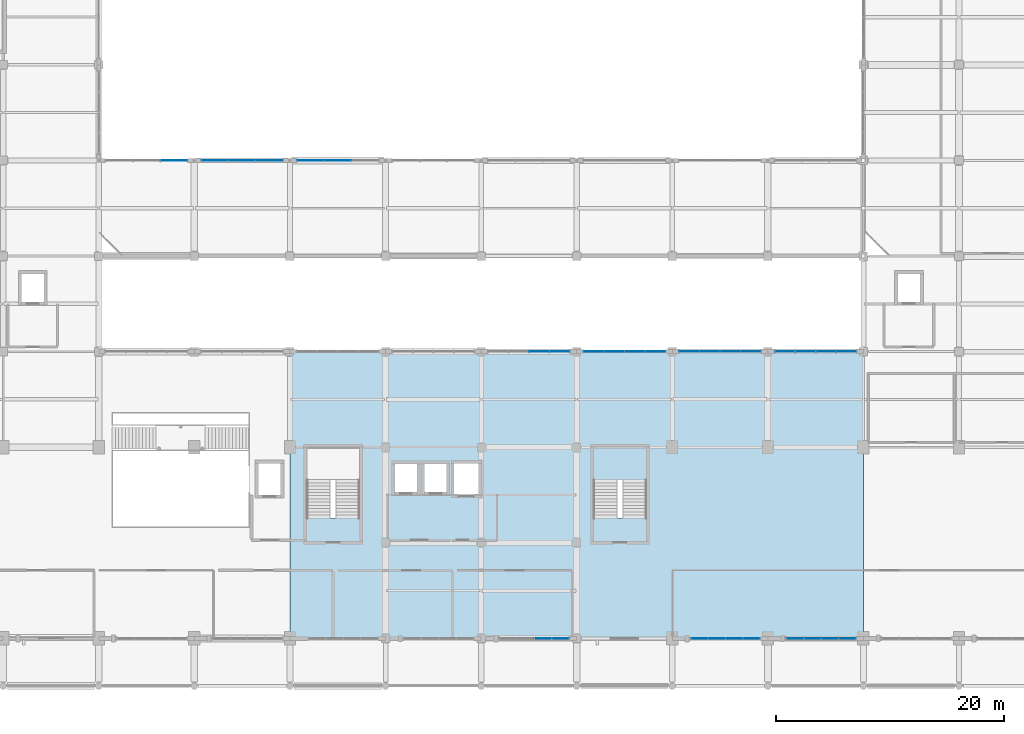
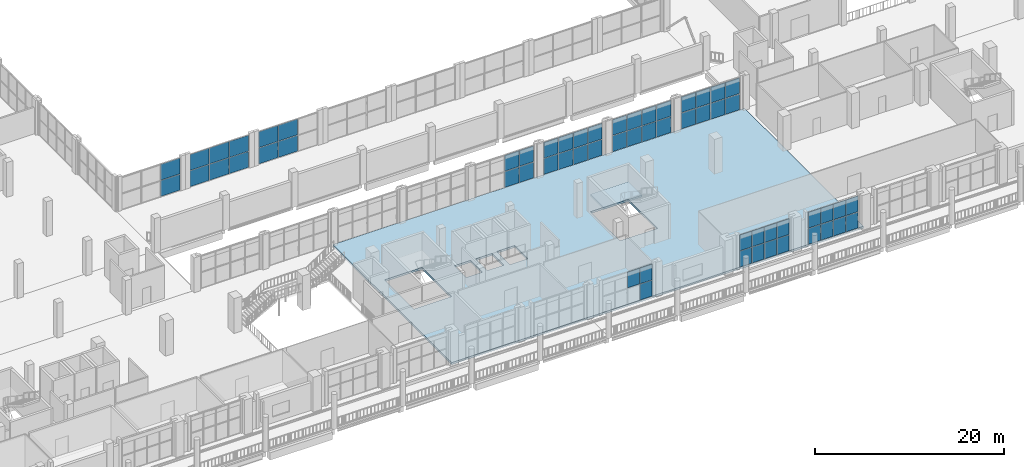
# One storey, part 48 of 75: 59 plates, 2 slabs, 11 elements without a shape of their own.
"""IFC4 building model written with IfcOpenShell, lengths in metres."""

from ifc_helpers import new_model, si_unit, derived_unit, direction, frame, origin, origin_2d, place, context, subcontext, project, spatial, polyline, rectangle, outline, extrude, material, layer, layer_set, type_object, element, aggregate, save


model = new_model("IFC4")

# Units and contexts
model_context = context("Model", 3, precision=1e-05, world=origin(), true_north=direction((0.0, 1.0)))
body_context = subcontext(model_context, "Body", "Model", "MODEL_VIEW")
ifc_project = project(units=[si_unit("LENGTHUNIT", "METRE"), si_unit("AREAUNIT", "SQUARE_METRE"), si_unit("VOLUMEUNIT", "CUBIC_METRE"), si_unit("PLANEANGLEUNIT", "RADIAN"), si_unit("MASSUNIT", "GRAM", prefix="KILO"), derived_unit("THERMALTRANSMITTANCEUNIT", [(si_unit("POWERUNIT", "WATT"), 1), (si_unit("LENGTHUNIT", "METRE"), -2), (si_unit("THERMODYNAMICTEMPERATUREUNIT", "KELVIN"), -1)])], contexts=[model_context])

# Site, building, storey
site_placement = place(None, origin())
site = spatial("IfcSite", under=ifc_project, at=site_placement, CompositionType="ELEMENT")
building_placement = place(site_placement, origin())
building = spatial("IfcBuilding", under=site, at=building_placement, Name="Barrovel Congress Hotel", CompositionType="ELEMENT")
storey_placement = place(building_placement, frame((0.0, 0.0, 5.39990234375)))
storey = spatial("IfcBuildingStorey", under=building, at=storey_placement, Name="L01", CompositionType="ELEMENT", Elevation=5.39990234375)

# Curtain wall, plates
ifc_material_1 = material(Name="Anodised Aluminium Alloy 6063-T6", Category="aluminium")
curtain_wall_type_1 = type_object("IfcCurtainWallType", Name="CW-ST-7200x3900", PredefinedType="USERDEFINED", material=ifc_material_1)
curtain_wall_1_placement = place(storey_placement, origin())
curtain_wall_1 = element("IfcCurtainWall", 1, at=curtain_wall_1_placement, inside=storey, type_object=curtain_wall_type_1, Name="CW:L01:S:11", ObjectType="STICK CURTAIN WALL", PredefinedType="USERDEFINED")
ifc_material_2 = material(Name="Double Low-E Insulated Glazing", Category="glass")
ifc_layer_1 = layer(ifc_material_2, 0.028076171875)
ifc_layer_set_1 = layer_set([ifc_layer_1], Name="Double Low-E Insulated Glazing")
plate_type_1 = type_object("IfcPlateType", Name="CWP-28", PredefinedType="CURTAIN_PANEL", material=ifc_layer_set_1)
plate_1_placement = place(storey_placement, frame((97.844970703125, 4.199951171875, 2.14013671875), z_axis=(0.0, 0.0, 1.0), x_axis=(1.0, 0.0, 0.0)))
plate_1 = element("IfcPlate", 2, at=plate_1_placement, type_object=plate_type_1, Name="CW:L01:S:11:P2-1", PredefinedType="CURTAIN_PANEL", context=body_context, shape_type="SweptSolid", body=[
    extrude(rectangle(XDim=1.469970703125, YDim=0.028076171875, at=origin_2d()), origin(), (0.0, 0.0, 1.0), 2.050048828125),
])
plate_2_placement = place(storey_placement, frame((99.375, 4.199951171875, 0.0302734375), z_axis=(0.0, 0.0, 1.0), x_axis=(1.0, 0.0, 0.0)))
plate_2 = element("IfcPlate", 3, at=plate_2_placement, type_object=plate_type_1, Name="CW:L01:S:11:P3-0", PredefinedType="CURTAIN_PANEL", context=body_context, shape_type="SweptSolid", body=[
    extrude(rectangle(XDim=1.469970703125, YDim=0.028076171875, at=origin_2d()), origin(), (0.0, 0.0, 1.0), 2.050048828125),
])
plate_3_placement = place(storey_placement, frame((99.375, 4.199951171875, 2.14013671875), z_axis=(0.0, 0.0, 1.0), x_axis=(1.0, 0.0, 0.0)))
plate_3 = element("IfcPlate", 4, at=plate_3_placement, type_object=plate_type_1, Name="CW:L01:S:11:P3-1", PredefinedType="CURTAIN_PANEL", context=body_context, shape_type="SweptSolid", body=[
    extrude(rectangle(XDim=1.469970703125, YDim=0.028076171875, at=origin_2d()), origin(), (0.0, 0.0, 1.0), 2.050048828125),
])
aggregate(curtain_wall_1, [plate_1, plate_2, plate_3])

curtain_wall_2_placement = place(storey_placement, origin())
curtain_wall_2 = element("IfcCurtainWall", 5, at=curtain_wall_2_placement, inside=storey, type_object=curtain_wall_type_1, Name="CW:L01:S:14", ObjectType="STICK CURTAIN WALL", PredefinedType="USERDEFINED")
plate_4_placement = place(storey_placement, frame((119.985107421875, 4.199951171875, 0.0302734375), z_axis=(0.0, 0.0, 1.0), x_axis=(1.0, 0.0, 0.0)))
plate_4 = element("IfcPlate", 6, at=plate_4_placement, type_object=plate_type_1, Name="CW:L01:S:14:P0-0", PredefinedType="CURTAIN_PANEL", context=body_context, shape_type="SweptSolid", body=[
    extrude(rectangle(XDim=1.469970703125, YDim=0.028076171875, at=origin_2d()), origin(), (0.0, 0.0, 1.0), 2.050048828125),
])
plate_5_placement = place(storey_placement, frame((119.985107421875, 4.199951171875, 2.14013671875), z_axis=(0.0, 0.0, 1.0), x_axis=(1.0, 0.0, 0.0)))
plate_5 = element("IfcPlate", 7, at=plate_5_placement, type_object=plate_type_1, Name="CW:L01:S:14:P0-1", PredefinedType="CURTAIN_PANEL", context=body_context, shape_type="SweptSolid", body=[
    extrude(rectangle(XDim=1.469970703125, YDim=0.028076171875, at=origin_2d()), origin(), (0.0, 0.0, 1.0), 2.050048828125),
])
plate_6_placement = place(storey_placement, frame((121.514892578125, 4.199951171875, 0.0302734375), z_axis=(0.0, 0.0, 1.0), x_axis=(1.0, 0.0, 0.0)))
plate_6 = element("IfcPlate", 8, at=plate_6_placement, type_object=plate_type_1, Name="CW:L01:S:14:P1-0", PredefinedType="CURTAIN_PANEL", context=body_context, shape_type="SweptSolid", body=[
    extrude(rectangle(XDim=1.469970703125, YDim=0.028076171875, at=origin_2d()), origin(), (0.0, 0.0, 1.0), 2.050048828125),
])
plate_7_placement = place(storey_placement, frame((121.514892578125, 4.199951171875, 2.14013671875), z_axis=(0.0, 0.0, 1.0), x_axis=(1.0, 0.0, 0.0)))
plate_7 = element("IfcPlate", 9, at=plate_7_placement, type_object=plate_type_1, Name="CW:L01:S:14:P1-1", PredefinedType="CURTAIN_PANEL", context=body_context, shape_type="SweptSolid", body=[
    extrude(rectangle(XDim=1.469970703125, YDim=0.028076171875, at=origin_2d()), origin(), (0.0, 0.0, 1.0), 2.050048828125),
])
plate_8_placement = place(storey_placement, frame((123.044921875, 4.199951171875, 0.0302734375), z_axis=(0.0, 0.0, 1.0), x_axis=(1.0, 0.0, 0.0)))
plate_8 = element("IfcPlate", 10, at=plate_8_placement, type_object=plate_type_1, Name="CW:L01:S:14:P2-0", PredefinedType="CURTAIN_PANEL", context=body_context, shape_type="SweptSolid", body=[
    extrude(rectangle(XDim=1.469970703125, YDim=0.028076171875, at=origin_2d()), origin(), (0.0, 0.0, 1.0), 2.050048828125),
])
plate_9_placement = place(storey_placement, frame((123.044921875, 4.199951171875, 2.14013671875), z_axis=(0.0, 0.0, 1.0), x_axis=(1.0, 0.0, 0.0)))
plate_9 = element("IfcPlate", 11, at=plate_9_placement, type_object=plate_type_1, Name="CW:L01:S:14:P2-1", PredefinedType="CURTAIN_PANEL", context=body_context, shape_type="SweptSolid", body=[
    extrude(rectangle(XDim=1.469970703125, YDim=0.028076171875, at=origin_2d()), origin(), (0.0, 0.0, 1.0), 2.050048828125),
])
plate_10_placement = place(storey_placement, frame((124.574951171875, 4.199951171875, 0.0302734375), z_axis=(0.0, 0.0, 1.0), x_axis=(1.0, 0.0, 0.0)))
plate_10 = element("IfcPlate", 12, at=plate_10_placement, type_object=plate_type_1, Name="CW:L01:S:14:P3-0", PredefinedType="CURTAIN_PANEL", context=body_context, shape_type="SweptSolid", body=[
    extrude(rectangle(XDim=1.469970703125, YDim=0.028076171875, at=origin_2d()), origin(), (0.0, 0.0, 1.0), 2.050048828125),
])
plate_11_placement = place(storey_placement, frame((124.574951171875, 4.199951171875, 2.14013671875), z_axis=(0.0, 0.0, 1.0), x_axis=(1.0, 0.0, 0.0)))
plate_11 = element("IfcPlate", 13, at=plate_11_placement, type_object=plate_type_1, Name="CW:L01:S:14:P3-1", PredefinedType="CURTAIN_PANEL", context=body_context, shape_type="SweptSolid", body=[
    extrude(rectangle(XDim=1.469970703125, YDim=0.028076171875, at=origin_2d()), origin(), (0.0, 0.0, 1.0), 2.050048828125),
])
aggregate(curtain_wall_2, [plate_4, plate_5, plate_6, plate_7, plate_8, plate_9, plate_10, plate_11])

curtain_wall_3_placement = place(storey_placement, origin())
curtain_wall_3 = element("IfcCurtainWall", 14, at=curtain_wall_3_placement, inside=storey, type_object=curtain_wall_type_1, Name="CW:L01:CS:13", ObjectType="STICK CURTAIN WALL", PredefinedType="USERDEFINED")
plate_12_placement = place(storey_placement, frame((116.10009765625, 29.39990234375, 0.0302734375), z_axis=(0.0, 0.0, 1.0), x_axis=(-1.0, 0.0, 0.0)))
plate_12 = element("IfcPlate", 15, at=plate_12_placement, type_object=plate_type_1, Name="CW:L01:CS:13:P0-0", PredefinedType="CURTAIN_PANEL", context=body_context, shape_type="SweptSolid", body=[
    extrude(rectangle(XDim=1.739990234375, YDim=0.028076171875, at=origin_2d()), origin(), (0.0, 0.0, 1.0), 2.050048828125),
])
plate_13_placement = place(storey_placement, frame((116.10009765625, 29.39990234375, 2.14013671875), z_axis=(0.0, 0.0, 1.0), x_axis=(-1.0, 0.0, 0.0)))
plate_13 = element("IfcPlate", 16, at=plate_13_placement, type_object=plate_type_1, Name="CW:L01:CS:13:P0-1", PredefinedType="CURTAIN_PANEL", context=body_context, shape_type="SweptSolid", body=[
    extrude(rectangle(XDim=1.739990234375, YDim=0.028076171875, at=origin_2d()), origin(), (0.0, 0.0, 1.0), 2.050048828125),
])
plate_14_placement = place(storey_placement, frame((114.300048828125, 29.39990234375, 0.0302734375), z_axis=(0.0, 0.0, 1.0), x_axis=(-1.0, 0.0, 0.0)))
plate_14 = element("IfcPlate", 17, at=plate_14_placement, type_object=plate_type_1, Name="CW:L01:CS:13:P1-0", PredefinedType="CURTAIN_PANEL", context=body_context, shape_type="SweptSolid", body=[
    extrude(rectangle(XDim=1.739990234375, YDim=0.028076171875, at=origin_2d()), origin(), (0.0, 0.0, 1.0), 2.050048828125),
])
plate_15_placement = place(storey_placement, frame((114.300048828125, 29.39990234375, 2.14013671875), z_axis=(0.0, 0.0, 1.0), x_axis=(-1.0, 0.0, 0.0)))
plate_15 = element("IfcPlate", 18, at=plate_15_placement, type_object=plate_type_1, Name="CW:L01:CS:13:P1-1", PredefinedType="CURTAIN_PANEL", context=body_context, shape_type="SweptSolid", body=[
    extrude(rectangle(XDim=1.739990234375, YDim=0.028076171875, at=origin_2d()), origin(), (0.0, 0.0, 1.0), 2.050048828125),
])
plate_16_placement = place(storey_placement, frame((112.5, 29.39990234375, 0.0302734375), z_axis=(0.0, 0.0, 1.0), x_axis=(-1.0, 0.0, 0.0)))
plate_16 = element("IfcPlate", 19, at=plate_16_placement, type_object=plate_type_1, Name="CW:L01:CS:13:P2-0", PredefinedType="CURTAIN_PANEL", context=body_context, shape_type="SweptSolid", body=[
    extrude(rectangle(XDim=1.739990234375, YDim=0.028076171875, at=origin_2d()), origin(), (0.0, 0.0, 1.0), 2.050048828125),
])
plate_17_placement = place(storey_placement, frame((112.5, 29.39990234375, 2.14013671875), z_axis=(0.0, 0.0, 1.0), x_axis=(-1.0, 0.0, 0.0)))
plate_17 = element("IfcPlate", 20, at=plate_17_placement, type_object=plate_type_1, Name="CW:L01:CS:13:P2-1", PredefinedType="CURTAIN_PANEL", context=body_context, shape_type="SweptSolid", body=[
    extrude(rectangle(XDim=1.739990234375, YDim=0.028076171875, at=origin_2d()), origin(), (0.0, 0.0, 1.0), 2.050048828125),
])
plate_18_placement = place(storey_placement, frame((110.699951171875, 29.39990234375, 0.0302734375), z_axis=(0.0, 0.0, 1.0), x_axis=(-1.0, 0.0, 0.0)))
plate_18 = element("IfcPlate", 21, at=plate_18_placement, type_object=plate_type_1, Name="CW:L01:CS:13:P3-0", PredefinedType="CURTAIN_PANEL", context=body_context, shape_type="SweptSolid", body=[
    extrude(rectangle(XDim=1.739990234375, YDim=0.028076171875, at=origin_2d()), origin(), (0.0, 0.0, 1.0), 2.050048828125),
])
plate_19_placement = place(storey_placement, frame((110.699951171875, 29.39990234375, 2.14013671875), z_axis=(0.0, 0.0, 1.0), x_axis=(-1.0, 0.0, 0.0)))
plate_19 = element("IfcPlate", 22, at=plate_19_placement, type_object=plate_type_1, Name="CW:L01:CS:13:P3-1", PredefinedType="CURTAIN_PANEL", context=body_context, shape_type="SweptSolid", body=[
    extrude(rectangle(XDim=1.739990234375, YDim=0.028076171875, at=origin_2d()), origin(), (0.0, 0.0, 1.0), 2.050048828125),
])
aggregate(curtain_wall_3, [plate_12, plate_13, plate_14, plate_15, plate_16, plate_17, plate_18, plate_19])

curtain_wall_4_placement = place(storey_placement, origin())
curtain_wall_4 = element("IfcCurtainWall", 23, at=curtain_wall_4_placement, inside=storey, type_object=curtain_wall_type_1, Name="CW:L01:CS:11", ObjectType="STICK CURTAIN WALL", PredefinedType="USERDEFINED")
plate_20_placement = place(storey_placement, frame((99.300048828125, 29.39990234375, 0.0302734375), z_axis=(0.0, 0.0, 1.0), x_axis=(-1.0, 0.0, 0.0)))
plate_20 = element("IfcPlate", 24, at=plate_20_placement, type_object=plate_type_1, Name="CW:L01:CS:11:P0-0", PredefinedType="CURTAIN_PANEL", context=body_context, shape_type="SweptSolid", body=[
    extrude(rectangle(XDim=1.739990234375, YDim=0.028076171875, at=origin_2d()), origin(), (0.0, 0.0, 1.0), 2.050048828125),
])
plate_21_placement = place(storey_placement, frame((99.300048828125, 29.39990234375, 2.14013671875), z_axis=(0.0, 0.0, 1.0), x_axis=(-1.0, 0.0, 0.0)))
plate_21 = element("IfcPlate", 25, at=plate_21_placement, type_object=plate_type_1, Name="CW:L01:CS:11:P0-1", PredefinedType="CURTAIN_PANEL", context=body_context, shape_type="SweptSolid", body=[
    extrude(rectangle(XDim=1.739990234375, YDim=0.028076171875, at=origin_2d()), origin(), (0.0, 0.0, 1.0), 2.050048828125),
])
plate_22_placement = place(storey_placement, frame((97.5, 29.39990234375, 0.0302734375), z_axis=(0.0, 0.0, 1.0), x_axis=(-1.0, 0.0, 0.0)))
plate_22 = element("IfcPlate", 26, at=plate_22_placement, type_object=plate_type_1, Name="CW:L01:CS:11:P1-0", PredefinedType="CURTAIN_PANEL", context=body_context, shape_type="SweptSolid", body=[
    extrude(rectangle(XDim=1.739990234375, YDim=0.028076171875, at=origin_2d()), origin(), (0.0, 0.0, 1.0), 2.050048828125),
])
plate_23_placement = place(storey_placement, frame((97.5, 29.39990234375, 2.14013671875), z_axis=(0.0, 0.0, 1.0), x_axis=(-1.0, 0.0, 0.0)))
plate_23 = element("IfcPlate", 27, at=plate_23_placement, type_object=plate_type_1, Name="CW:L01:CS:11:P1-1", PredefinedType="CURTAIN_PANEL", context=body_context, shape_type="SweptSolid", body=[
    extrude(rectangle(XDim=1.739990234375, YDim=0.028076171875, at=origin_2d()), origin(), (0.0, 0.0, 1.0), 2.050048828125),
])
aggregate(curtain_wall_4, [plate_20, plate_21, plate_22, plate_23])

curtain_wall_type_2 = type_object("IfcCurtainWallType", Name="CW-ST-7200x3600", PredefinedType="USERDEFINED", material=ifc_material_1)
curtain_wall_5_placement = place(storey_placement, origin())
curtain_wall_5 = element("IfcCurtainWall", 28, at=curtain_wall_5_placement, inside=storey, type_object=curtain_wall_type_2, Name="CW:L01:CL:08", ObjectType="STICK CURTAIN WALL", PredefinedType="USERDEFINED")
plate_24_placement = place(storey_placement, frame((73.800048828125, 46.199951171875, 0.0302734375), z_axis=(0.0, 0.0, 1.0), x_axis=(-1.0, 0.0, 0.0)))
plate_24 = element("IfcPlate", 29, at=plate_24_placement, type_object=plate_type_1, Name="CW:L01:CL:08:P0-0", PredefinedType="CURTAIN_PANEL", context=body_context, shape_type="SweptSolid", body=[
    extrude(rectangle(XDim=2.340087890625, YDim=0.028076171875, at=origin_2d()), origin(), (0.0, 0.0, 1.0), 2.050048828125),
])
plate_25_placement = place(storey_placement, frame((73.800048828125, 46.199951171875, 2.14013671875), z_axis=(0.0, 0.0, 1.0), x_axis=(-1.0, 0.0, 0.0)))
plate_25 = element("IfcPlate", 30, at=plate_25_placement, type_object=plate_type_1, Name="CW:L01:CL:08:P0-1", PredefinedType="CURTAIN_PANEL", context=body_context, shape_type="SweptSolid", body=[
    extrude(rectangle(XDim=2.340087890625, YDim=0.028076171875, at=origin_2d()), origin(), (0.0, 0.0, 1.0), 2.050048828125),
])
plate_26_placement = place(storey_placement, frame((71.39990234375, 46.199951171875, 0.0302734375), z_axis=(0.0, 0.0, 1.0), x_axis=(-1.0, 0.0, 0.0)))
plate_26 = element("IfcPlate", 31, at=plate_26_placement, type_object=plate_type_1, Name="CW:L01:CL:08:P1-0", PredefinedType="CURTAIN_PANEL", context=body_context, shape_type="SweptSolid", body=[
    extrude(rectangle(XDim=2.340087890625, YDim=0.028076171875, at=origin_2d()), origin(), (0.0, 0.0, 1.0), 2.050048828125),
])
plate_27_placement = place(storey_placement, frame((71.39990234375, 46.199951171875, 2.14013671875), z_axis=(0.0, 0.0, 1.0), x_axis=(-1.0, 0.0, 0.0)))
plate_27 = element("IfcPlate", 32, at=plate_27_placement, type_object=plate_type_1, Name="CW:L01:CL:08:P1-1", PredefinedType="CURTAIN_PANEL", context=body_context, shape_type="SweptSolid", body=[
    extrude(rectangle(XDim=2.340087890625, YDim=0.028076171875, at=origin_2d()), origin(), (0.0, 0.0, 1.0), 2.050048828125),
])
plate_28_placement = place(storey_placement, frame((69.0, 46.199951171875, 0.0302734375), z_axis=(0.0, 0.0, 1.0), x_axis=(-1.0, 0.0, 0.0)))
plate_28 = element("IfcPlate", 33, at=plate_28_placement, type_object=plate_type_1, Name="CW:L01:CL:08:P2-0", PredefinedType="CURTAIN_PANEL", context=body_context, shape_type="SweptSolid", body=[
    extrude(rectangle(XDim=2.340087890625, YDim=0.028076171875, at=origin_2d()), origin(), (0.0, 0.0, 1.0), 2.050048828125),
])
plate_29_placement = place(storey_placement, frame((69.0, 46.199951171875, 2.14013671875), z_axis=(0.0, 0.0, 1.0), x_axis=(-1.0, 0.0, 0.0)))
plate_29 = element("IfcPlate", 34, at=plate_29_placement, type_object=plate_type_1, Name="CW:L01:CL:08:P2-1", PredefinedType="CURTAIN_PANEL", context=body_context, shape_type="SweptSolid", body=[
    extrude(rectangle(XDim=2.340087890625, YDim=0.028076171875, at=origin_2d()), origin(), (0.0, 0.0, 1.0), 2.050048828125),
])
aggregate(curtain_wall_5, [plate_24, plate_25, plate_26, plate_27, plate_28, plate_29])

curtain_wall_6_placement = place(storey_placement, origin())
curtain_wall_6 = element("IfcCurtainWall", 35, at=curtain_wall_6_placement, inside=storey, type_object=curtain_wall_type_1, Name="CW:L01:S:13", ObjectType="STICK CURTAIN WALL", PredefinedType="USERDEFINED")
ifc_layer_2 = layer(ifc_material_2, 0.031982421875)
ifc_layer_set_2 = layer_set([ifc_layer_2], Name="Double Low-E Insulated Glazing")
plate_type_2 = type_object("IfcPlateType", Name="CWP-32", PredefinedType="CURTAIN_PANEL", material=ifc_layer_set_2)
plate_30_placement = place(storey_placement, frame((111.5849609375, 4.199951171875, 0.0302734375), z_axis=(0.0, 0.0, 1.0), x_axis=(1.0, 0.0, 0.0)))
plate_30 = element("IfcPlate", 36, at=plate_30_placement, type_object=plate_type_2, Name="CW:L01:S:13:P0-0", PredefinedType="CURTAIN_PANEL", context=body_context, shape_type="SweptSolid", body=[
    extrude(rectangle(XDim=1.469970703125, YDim=0.031982421875, at=origin_2d()), origin(), (0.0, 0.0, 1.0), 2.050048828125),
])
plate_31_placement = place(storey_placement, frame((111.5849609375, 4.199951171875, 2.14013671875), z_axis=(0.0, 0.0, 1.0), x_axis=(1.0, 0.0, 0.0)))
plate_31 = element("IfcPlate", 37, at=plate_31_placement, type_object=plate_type_2, Name="CW:L01:S:13:P0-1", PredefinedType="CURTAIN_PANEL", context=body_context, shape_type="SweptSolid", body=[
    extrude(rectangle(XDim=1.469970703125, YDim=0.031982421875, at=origin_2d()), origin(), (0.0, 0.0, 1.0), 2.050048828125),
])
plate_32_placement = place(storey_placement, frame((113.114990234375, 4.199951171875, 0.0302734375), z_axis=(0.0, 0.0, 1.0), x_axis=(1.0, 0.0, 0.0)))
plate_32 = element("IfcPlate", 38, at=plate_32_placement, type_object=plate_type_2, Name="CW:L01:S:13:P1-0", PredefinedType="CURTAIN_PANEL", context=body_context, shape_type="SweptSolid", body=[
    extrude(rectangle(XDim=1.469970703125, YDim=0.031982421875, at=origin_2d()), origin(), (0.0, 0.0, 1.0), 2.050048828125),
])
plate_33_placement = place(storey_placement, frame((113.114990234375, 4.199951171875, 2.14013671875), z_axis=(0.0, 0.0, 1.0), x_axis=(1.0, 0.0, 0.0)))
plate_33 = element("IfcPlate", 39, at=plate_33_placement, type_object=plate_type_2, Name="CW:L01:S:13:P1-1", PredefinedType="CURTAIN_PANEL", context=body_context, shape_type="SweptSolid", body=[
    extrude(rectangle(XDim=1.469970703125, YDim=0.031982421875, at=origin_2d()), origin(), (0.0, 0.0, 1.0), 2.050048828125),
])
plate_34_placement = place(storey_placement, frame((114.64501953125, 4.199951171875, 0.0302734375), z_axis=(0.0, 0.0, 1.0), x_axis=(1.0, 0.0, 0.0)))
plate_34 = element("IfcPlate", 40, at=plate_34_placement, type_object=plate_type_2, Name="CW:L01:S:13:P2-0", PredefinedType="CURTAIN_PANEL", context=body_context, shape_type="SweptSolid", body=[
    extrude(rectangle(XDim=1.469970703125, YDim=0.031982421875, at=origin_2d()), origin(), (0.0, 0.0, 1.0), 2.050048828125),
])
plate_35_placement = place(storey_placement, frame((114.64501953125, 4.199951171875, 2.14013671875), z_axis=(0.0, 0.0, 1.0), x_axis=(1.0, 0.0, 0.0)))
plate_35 = element("IfcPlate", 41, at=plate_35_placement, type_object=plate_type_2, Name="CW:L01:S:13:P2-1", PredefinedType="CURTAIN_PANEL", context=body_context, shape_type="SweptSolid", body=[
    extrude(rectangle(XDim=1.469970703125, YDim=0.031982421875, at=origin_2d()), origin(), (0.0, 0.0, 1.0), 2.050048828125),
])
plate_36_placement = place(storey_placement, frame((116.175048828125, 4.199951171875, 0.0302734375), z_axis=(0.0, 0.0, 1.0), x_axis=(1.0, 0.0, 0.0)))
plate_36 = element("IfcPlate", 42, at=plate_36_placement, type_object=plate_type_2, Name="CW:L01:S:13:P3-0", PredefinedType="CURTAIN_PANEL", context=body_context, shape_type="SweptSolid", body=[
    extrude(rectangle(XDim=1.469970703125, YDim=0.031982421875, at=origin_2d()), origin(), (0.0, 0.0, 1.0), 2.050048828125),
])
plate_37_placement = place(storey_placement, frame((116.175048828125, 4.199951171875, 2.14013671875), z_axis=(0.0, 0.0, 1.0), x_axis=(1.0, 0.0, 0.0)))
plate_37 = element("IfcPlate", 43, at=plate_37_placement, type_object=plate_type_2, Name="CW:L01:S:13:P3-1", PredefinedType="CURTAIN_PANEL", context=body_context, shape_type="SweptSolid", body=[
    extrude(rectangle(XDim=1.469970703125, YDim=0.031982421875, at=origin_2d()), origin(), (0.0, 0.0, 1.0), 2.050048828125),
])
aggregate(curtain_wall_6, [plate_30, plate_31, plate_32, plate_33, plate_34, plate_35, plate_36, plate_37])

curtain_wall_7_placement = place(storey_placement, origin())
curtain_wall_7 = element("IfcCurtainWall", 44, at=curtain_wall_7_placement, inside=storey, type_object=curtain_wall_type_1, Name="CW:L01:CS:14", ObjectType="STICK CURTAIN WALL", PredefinedType="USERDEFINED")
plate_38_placement = place(storey_placement, frame((124.5, 29.39990234375, 0.0302734375), z_axis=(0.0, 0.0, 1.0), x_axis=(-1.0, 0.0, 0.0)))
plate_38 = element("IfcPlate", 45, at=plate_38_placement, type_object=plate_type_2, Name="CW:L01:CS:14:P0-0", PredefinedType="CURTAIN_PANEL", context=body_context, shape_type="SweptSolid", body=[
    extrude(rectangle(XDim=1.739990234375, YDim=0.031982421875, at=origin_2d()), origin(), (0.0, 0.0, 1.0), 2.050048828125),
])
plate_39_placement = place(storey_placement, frame((124.5, 29.39990234375, 2.14013671875), z_axis=(0.0, 0.0, 1.0), x_axis=(-1.0, 0.0, 0.0)))
plate_39 = element("IfcPlate", 46, at=plate_39_placement, type_object=plate_type_2, Name="CW:L01:CS:14:P0-1", PredefinedType="CURTAIN_PANEL", context=body_context, shape_type="SweptSolid", body=[
    extrude(rectangle(XDim=1.739990234375, YDim=0.031982421875, at=origin_2d()), origin(), (0.0, 0.0, 1.0), 2.050048828125),
])
plate_40_placement = place(storey_placement, frame((122.699951171875, 29.39990234375, 0.0302734375), z_axis=(0.0, 0.0, 1.0), x_axis=(-1.0, 0.0, 0.0)))
plate_40 = element("IfcPlate", 47, at=plate_40_placement, type_object=plate_type_2, Name="CW:L01:CS:14:P1-0", PredefinedType="CURTAIN_PANEL", context=body_context, shape_type="SweptSolid", body=[
    extrude(rectangle(XDim=1.739990234375, YDim=0.031982421875, at=origin_2d()), origin(), (0.0, 0.0, 1.0), 2.050048828125),
])
plate_41_placement = place(storey_placement, frame((122.699951171875, 29.39990234375, 2.14013671875), z_axis=(0.0, 0.0, 1.0), x_axis=(-1.0, 0.0, 0.0)))
plate_41 = element("IfcPlate", 48, at=plate_41_placement, type_object=plate_type_2, Name="CW:L01:CS:14:P1-1", PredefinedType="CURTAIN_PANEL", context=body_context, shape_type="SweptSolid", body=[
    extrude(rectangle(XDim=1.739990234375, YDim=0.031982421875, at=origin_2d()), origin(), (0.0, 0.0, 1.0), 2.050048828125),
])
plate_42_placement = place(storey_placement, frame((120.89990234375, 29.39990234375, 0.0302734375), z_axis=(0.0, 0.0, 1.0), x_axis=(-1.0, 0.0, 0.0)))
plate_42 = element("IfcPlate", 49, at=plate_42_placement, type_object=plate_type_2, Name="CW:L01:CS:14:P2-0", PredefinedType="CURTAIN_PANEL", context=body_context, shape_type="SweptSolid", body=[
    extrude(rectangle(XDim=1.739990234375, YDim=0.031982421875, at=origin_2d()), origin(), (0.0, 0.0, 1.0), 2.050048828125),
])
plate_43_placement = place(storey_placement, frame((120.89990234375, 29.39990234375, 2.14013671875), z_axis=(0.0, 0.0, 1.0), x_axis=(-1.0, 0.0, 0.0)))
plate_43 = element("IfcPlate", 50, at=plate_43_placement, type_object=plate_type_2, Name="CW:L01:CS:14:P2-1", PredefinedType="CURTAIN_PANEL", context=body_context, shape_type="SweptSolid", body=[
    extrude(rectangle(XDim=1.739990234375, YDim=0.031982421875, at=origin_2d()), origin(), (0.0, 0.0, 1.0), 2.050048828125),
])
plate_44_placement = place(storey_placement, frame((119.10009765625, 29.39990234375, 0.0302734375), z_axis=(0.0, 0.0, 1.0), x_axis=(-1.0, 0.0, 0.0)))
plate_44 = element("IfcPlate", 51, at=plate_44_placement, type_object=plate_type_2, Name="CW:L01:CS:14:P3-0", PredefinedType="CURTAIN_PANEL", context=body_context, shape_type="SweptSolid", body=[
    extrude(rectangle(XDim=1.739990234375, YDim=0.031982421875, at=origin_2d()), origin(), (0.0, 0.0, 1.0), 2.050048828125),
])
plate_45_placement = place(storey_placement, frame((119.10009765625, 29.39990234375, 2.14013671875), z_axis=(0.0, 0.0, 1.0), x_axis=(-1.0, 0.0, 0.0)))
plate_45 = element("IfcPlate", 52, at=plate_45_placement, type_object=plate_type_2, Name="CW:L01:CS:14:P3-1", PredefinedType="CURTAIN_PANEL", context=body_context, shape_type="SweptSolid", body=[
    extrude(rectangle(XDim=1.739990234375, YDim=0.031982421875, at=origin_2d()), origin(), (0.0, 0.0, 1.0), 2.050048828125),
])
aggregate(curtain_wall_7, [plate_38, plate_39, plate_40, plate_41, plate_42, plate_43, plate_44, plate_45])

curtain_wall_8_placement = place(storey_placement, origin())
curtain_wall_8 = element("IfcCurtainWall", 53, at=curtain_wall_8_placement, inside=storey, type_object=curtain_wall_type_1, Name="CW:L01:CS:12", ObjectType="STICK CURTAIN WALL", PredefinedType="USERDEFINED")
plate_46_placement = place(storey_placement, frame((107.699951171875, 29.39990234375, 0.0302734375), z_axis=(0.0, 0.0, 1.0), x_axis=(-1.0, 0.0, 0.0)))
plate_46 = element("IfcPlate", 54, at=plate_46_placement, type_object=plate_type_2, Name="CW:L01:CS:12:P0-0", PredefinedType="CURTAIN_PANEL", context=body_context, shape_type="SweptSolid", body=[
    extrude(rectangle(XDim=1.739990234375, YDim=0.031982421875, at=origin_2d()), origin(), (0.0, 0.0, 1.0), 2.050048828125),
])
plate_47_placement = place(storey_placement, frame((107.699951171875, 29.39990234375, 2.14013671875), z_axis=(0.0, 0.0, 1.0), x_axis=(-1.0, 0.0, 0.0)))
plate_47 = element("IfcPlate", 55, at=plate_47_placement, type_object=plate_type_2, Name="CW:L01:CS:12:P0-1", PredefinedType="CURTAIN_PANEL", context=body_context, shape_type="SweptSolid", body=[
    extrude(rectangle(XDim=1.739990234375, YDim=0.031982421875, at=origin_2d()), origin(), (0.0, 0.0, 1.0), 2.050048828125),
])
plate_48_placement = place(storey_placement, frame((105.89990234375, 29.39990234375, 0.0302734375), z_axis=(0.0, 0.0, 1.0), x_axis=(-1.0, 0.0, 0.0)))
plate_48 = element("IfcPlate", 56, at=plate_48_placement, type_object=plate_type_2, Name="CW:L01:CS:12:P1-0", PredefinedType="CURTAIN_PANEL", context=body_context, shape_type="SweptSolid", body=[
    extrude(rectangle(XDim=1.739990234375, YDim=0.031982421875, at=origin_2d()), origin(), (0.0, 0.0, 1.0), 2.050048828125),
])
plate_49_placement = place(storey_placement, frame((105.89990234375, 29.39990234375, 2.14013671875), z_axis=(0.0, 0.0, 1.0), x_axis=(-1.0, 0.0, 0.0)))
plate_49 = element("IfcPlate", 57, at=plate_49_placement, type_object=plate_type_2, Name="CW:L01:CS:12:P1-1", PredefinedType="CURTAIN_PANEL", context=body_context, shape_type="SweptSolid", body=[
    extrude(rectangle(XDim=1.739990234375, YDim=0.031982421875, at=origin_2d()), origin(), (0.0, 0.0, 1.0), 2.050048828125),
])
plate_50_placement = place(storey_placement, frame((104.10009765625, 29.39990234375, 0.0302734375), z_axis=(0.0, 0.0, 1.0), x_axis=(-1.0, 0.0, 0.0)))
plate_50 = element("IfcPlate", 58, at=plate_50_placement, type_object=plate_type_2, Name="CW:L01:CS:12:P2-0", PredefinedType="CURTAIN_PANEL", context=body_context, shape_type="SweptSolid", body=[
    extrude(rectangle(XDim=1.739990234375, YDim=0.031982421875, at=origin_2d()), origin(), (0.0, 0.0, 1.0), 2.050048828125),
])
plate_51_placement = place(storey_placement, frame((104.10009765625, 29.39990234375, 2.14013671875), z_axis=(0.0, 0.0, 1.0), x_axis=(-1.0, 0.0, 0.0)))
plate_51 = element("IfcPlate", 59, at=plate_51_placement, type_object=plate_type_2, Name="CW:L01:CS:12:P2-1", PredefinedType="CURTAIN_PANEL", context=body_context, shape_type="SweptSolid", body=[
    extrude(rectangle(XDim=1.739990234375, YDim=0.031982421875, at=origin_2d()), origin(), (0.0, 0.0, 1.0), 2.050048828125),
])
plate_52_placement = place(storey_placement, frame((102.300048828125, 29.39990234375, 0.0302734375), z_axis=(0.0, 0.0, 1.0), x_axis=(-1.0, 0.0, 0.0)))
plate_52 = element("IfcPlate", 60, at=plate_52_placement, type_object=plate_type_2, Name="CW:L01:CS:12:P3-0", PredefinedType="CURTAIN_PANEL", context=body_context, shape_type="SweptSolid", body=[
    extrude(rectangle(XDim=1.739990234375, YDim=0.031982421875, at=origin_2d()), origin(), (0.0, 0.0, 1.0), 2.050048828125),
])
plate_53_placement = place(storey_placement, frame((102.300048828125, 29.39990234375, 2.14013671875), z_axis=(0.0, 0.0, 1.0), x_axis=(-1.0, 0.0, 0.0)))
plate_53 = element("IfcPlate", 61, at=plate_53_placement, type_object=plate_type_2, Name="CW:L01:CS:12:P3-1", PredefinedType="CURTAIN_PANEL", context=body_context, shape_type="SweptSolid", body=[
    extrude(rectangle(XDim=1.739990234375, YDim=0.031982421875, at=origin_2d()), origin(), (0.0, 0.0, 1.0), 2.050048828125),
])
aggregate(curtain_wall_8, [plate_46, plate_47, plate_48, plate_49, plate_50, plate_51, plate_52, plate_53])

curtain_wall_9_placement = place(storey_placement, origin())
curtain_wall_9 = element("IfcCurtainWall", 62, at=curtain_wall_9_placement, inside=storey, type_object=curtain_wall_type_2, Name="CW:L01:CL:07", ObjectType="STICK CURTAIN WALL", PredefinedType="USERDEFINED")
plate_54_placement = place(storey_placement, frame((65.39990234375, 46.199951171875, 0.0302734375), z_axis=(0.0, 0.0, 1.0), x_axis=(-1.0, 0.0, 0.0)))
plate_54 = element("IfcPlate", 63, at=plate_54_placement, type_object=plate_type_2, Name="CW:L01:CL:07:P0-0", PredefinedType="CURTAIN_PANEL", context=body_context, shape_type="SweptSolid", body=[
    extrude(rectangle(XDim=2.340087890625, YDim=0.031982421875, at=origin_2d()), origin(), (0.0, 0.0, 1.0), 2.050048828125),
])
plate_55_placement = place(storey_placement, frame((65.39990234375, 46.199951171875, 2.14013671875), z_axis=(0.0, 0.0, 1.0), x_axis=(-1.0, 0.0, 0.0)))
plate_55 = element("IfcPlate", 64, at=plate_55_placement, type_object=plate_type_2, Name="CW:L01:CL:07:P0-1", PredefinedType="CURTAIN_PANEL", context=body_context, shape_type="SweptSolid", body=[
    extrude(rectangle(XDim=2.340087890625, YDim=0.031982421875, at=origin_2d()), origin(), (0.0, 0.0, 1.0), 2.050048828125),
])
aggregate(curtain_wall_9, [plate_54, plate_55])

curtain_wall_10_placement = place(storey_placement, origin())
curtain_wall_10 = element("IfcCurtainWall", 65, at=curtain_wall_10_placement, inside=storey, type_object=curtain_wall_type_2, Name="CW:L01:CL:09", ObjectType="STICK CURTAIN WALL", PredefinedType="USERDEFINED")
plate_56_placement = place(storey_placement, frame((79.800048828125, 46.199951171875, 0.0302734375), z_axis=(0.0, 0.0, 1.0), x_axis=(-1.0, 0.0, 0.0)))
plate_56 = element("IfcPlate", 66, at=plate_56_placement, type_object=plate_type_2, Name="CW:L01:CL:09:P1-0", PredefinedType="CURTAIN_PANEL", context=body_context, shape_type="SweptSolid", body=[
    extrude(rectangle(XDim=2.340087890625, YDim=0.031982421875, at=origin_2d()), origin(), (0.0, 0.0, 1.0), 2.050048828125),
])
plate_57_placement = place(storey_placement, frame((79.800048828125, 46.199951171875, 2.14013671875), z_axis=(0.0, 0.0, 1.0), x_axis=(-1.0, 0.0, 0.0)))
plate_57 = element("IfcPlate", 67, at=plate_57_placement, type_object=plate_type_2, Name="CW:L01:CL:09:P1-1", PredefinedType="CURTAIN_PANEL", context=body_context, shape_type="SweptSolid", body=[
    extrude(rectangle(XDim=2.340087890625, YDim=0.031982421875, at=origin_2d()), origin(), (0.0, 0.0, 1.0), 2.050048828125),
])
plate_58_placement = place(storey_placement, frame((77.39990234375, 46.199951171875, 0.0302734375), z_axis=(0.0, 0.0, 1.0), x_axis=(-1.0, 0.0, 0.0)))
plate_58 = element("IfcPlate", 68, at=plate_58_placement, type_object=plate_type_2, Name="CW:L01:CL:09:P2-0", PredefinedType="CURTAIN_PANEL", context=body_context, shape_type="SweptSolid", body=[
    extrude(rectangle(XDim=2.340087890625, YDim=0.031982421875, at=origin_2d()), origin(), (0.0, 0.0, 1.0), 2.050048828125),
])
plate_59_placement = place(storey_placement, frame((77.39990234375, 46.199951171875, 2.14013671875), z_axis=(0.0, 0.0, 1.0), x_axis=(-1.0, 0.0, 0.0)))
plate_59 = element("IfcPlate", 69, at=plate_59_placement, type_object=plate_type_2, Name="CW:L01:CL:09:P2-1", PredefinedType="CURTAIN_PANEL", context=body_context, shape_type="SweptSolid", body=[
    extrude(rectangle(XDim=2.340087890625, YDim=0.031982421875, at=origin_2d()), origin(), (0.0, 0.0, 1.0), 2.050048828125),
])
aggregate(curtain_wall_10, [plate_56, plate_57, plate_58, plate_59])

# Slab
ifc_material_3 = material(Name="Concrete C35", Category="concrete")
ifc_layer_3 = layer(ifc_material_3, 0.260009765625)
ifc_layer_set_3 = layer_set([ifc_layer_3], Name="Concrete C35")
slab_type_1 = type_object("IfcSlabType", Name="SL-F260", PredefinedType="FLOOR", material=ifc_layer_set_3)
slab_1_placement = place(storey_placement, frame((0.0, 0.0, -0.260009765625)))
element("IfcSlab", 70, at=slab_1_placement, inside=storey, type_object=slab_type_1, Name="SLAB:L01:V4-2", PredefinedType="FLOOR", context=body_context, shape_type="SweptSolid", body=[
    extrude(outline(polyline([(75.60009765625, 4.199951171875), (126.0, 4.199951171875), (126.0, 29.39990234375), (75.60009765625, 29.39990234375), (75.60009765625, 4.199951171875)]), holes=[polyline([(77.10009765625, 14.780029296875), (77.10009765625, 21.0), (81.699951171875, 21.0), (81.699951171875, 14.780029296875), (77.10009765625, 14.780029296875)]), polyline([(102.300048828125, 14.780029296875), (102.300048828125, 21.0), (106.89990234375, 21.0), (106.89990234375, 14.780029296875), (102.300048828125, 14.780029296875)]), polyline([(84.800048828125, 17.050048828125), (84.800048828125, 19.550048828125), (86.800048828125, 19.550048828125), (86.800048828125, 17.050048828125), (84.800048828125, 17.050048828125)]), polyline([(87.39990234375, 17.050048828125), (87.39990234375, 19.550048828125), (89.39990234375, 19.550048828125), (89.39990234375, 17.050048828125), (87.39990234375, 17.050048828125)]), polyline([(90.0, 16.800048828125), (90.0, 19.60009765625), (92.199951171875, 19.60009765625), (92.199951171875, 16.800048828125), (90.0, 16.800048828125)])]), origin(), (0.0, 0.0, 1.0), 0.260009765625),
])

# Stair, slab
ifc_material_4 = material(Name="Concrete C40", Category="concrete")
stair_type = type_object("IfcStairType", Name="STR-HT-450", PredefinedType="HALF_TURN_STAIR", material=ifc_material_4)
stair_placement = place(storey_placement, origin())
stair = element("IfcStair", 71, at=stair_placement, inside=storey, type_object=stair_type, Name="Exit Stair XS-03 (L01)", PredefinedType="HALF_TURN_STAIR")
ifc_layer_4 = layer(ifc_material_4, 0.22998046875)
ifc_layer_set_4 = layer_set([ifc_layer_4], Name="Concrete C40")
slab_type_2 = type_object("IfcSlabType", Name="SL-LDG-230", PredefinedType="LANDING", material=ifc_layer_set_4)
slab_2_placement = place(storey_placement, frame((0.0, 0.0, 2.02001953125)))
slab_2 = element("IfcSlab", 72, at=slab_2_placement, type_object=slab_type_2, Name="STAIR:XS-03:L01:LDG", PredefinedType="LANDING", context=body_context, shape_type="SweptSolid", body=[
    extrude(outline(polyline([(102.280029296875, 18.1298828125), (106.919921875, 18.1298828125), (106.919921875, 21.02001953125), (102.280029296875, 21.02001953125), (102.280029296875, 18.1298828125)])), origin(), (0.0, 0.0, 1.0), 0.22998046875),
])
aggregate(stair, [slab_2])

save(model, "model.ifc")
